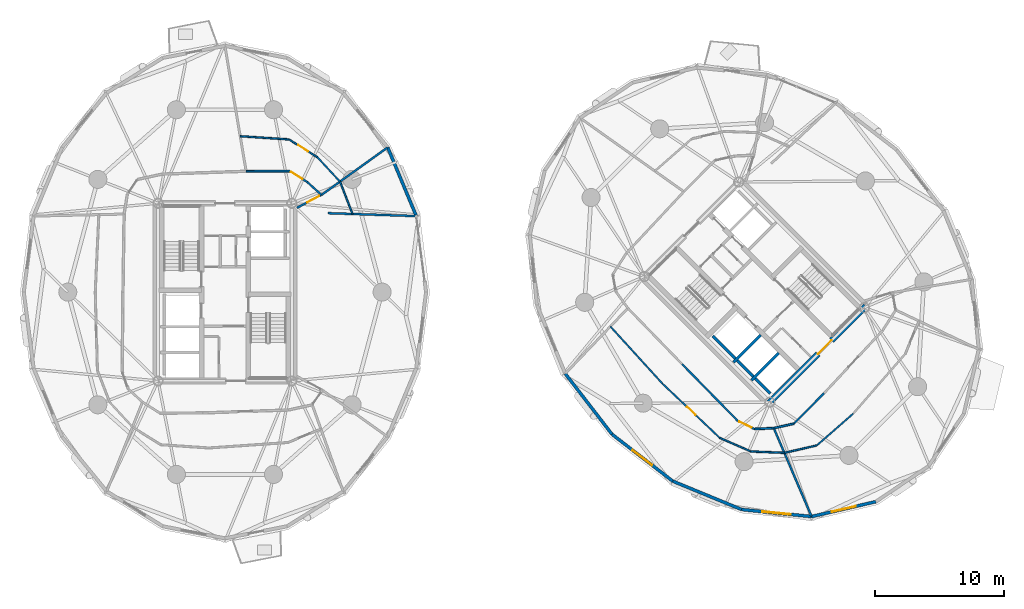
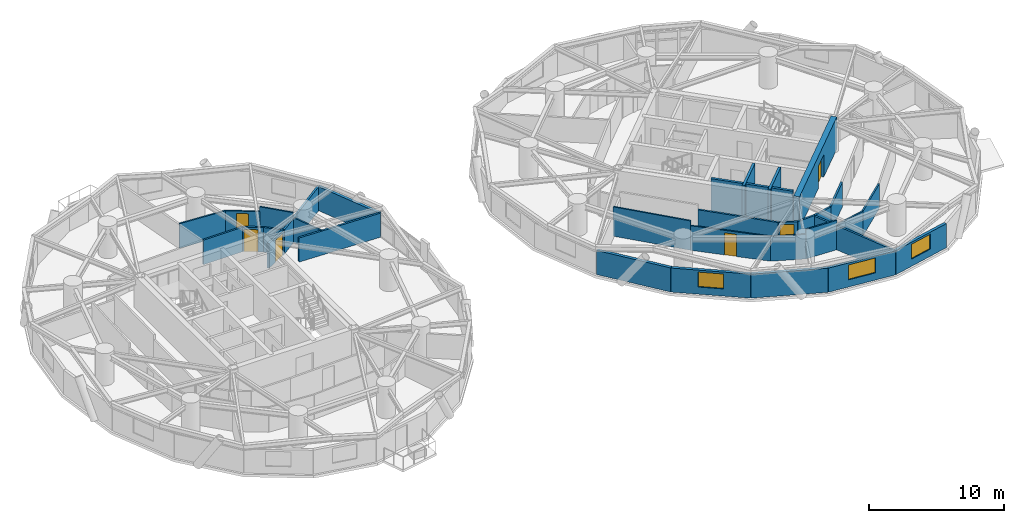
# One storey, part 11 of 18: 34 walls, 6 doors, 3 windows, 9 openings.
"""IFC4 building model written with IfcOpenShell, lengths in metres."""

import ifcopenshell
import ifcopenshell.guid

model = None  # the IFC model being written
_history = None  # IfcOwnerHistory: only IFC2X3 demands one
_inside = {}  # id of a spatial element -> (the spatial element, [elements in it])
_under = {}  # id of a project, library or spatial element -> (it, [spatial elements below it])
_declared = {}  # id of a project -> (the project, [libraries it declares])
_typed = {}  # id of a type object -> (the type object, [elements of that type])
_made_of = {}  # id of a material, layer set ... -> (it, [elements and type objects made of it])


def new_model(schema):
    """Start an empty IFC model of exactly this schema.

    Asked for "IFC4X3", IfcOpenShell would pick the latest addendum, in which some entities
    have other attributes; the version numbers below select the first issue.
    IFC2X3 requires an IfcOwnerHistory on every rooted entity: one is made here for all.
    """
    global model, _history
    if schema == "IFC4X3":
        model = ifcopenshell.file(schema_version=(4, 3, 0, 0))
    else:
        model = ifcopenshell.file(schema=schema)
    _inside.clear()
    _under.clear()
    _declared.clear()
    _typed.clear()
    _made_of.clear()
    _history = None
    if model.schema == "IFC2X3":
        org = make("IfcOrganization", Name="unknown")
        user = make(
            "IfcPersonAndOrganization",
            ThePerson=make("IfcPerson", FamilyName="unknown"),
            TheOrganization=org,
        )
        app = make(
            "IfcApplication",
            ApplicationDeveloper=org,
            Version="unknown",
            ApplicationFullName="unknown",
            ApplicationIdentifier="unknown",
        )
        _history = make(
            "IfcOwnerHistory",
            OwningUser=user,
            OwningApplication=app,
            ChangeAction="ADDED",
            CreationDate=0,
        )
    return model


def make(cls, **values):
    """One entity of the class cls with the attributes given. An attribute that is None is left unset."""
    return model.create_entity(
        cls, **{name: value for name, value in values.items() if value is not None}
    )


def rooted(cls, **values):
    """An entity with a GlobalId (a new one), such as an element, a storey or a relation."""
    return make(cls, GlobalId=ifcopenshell.guid.new(), OwnerHistory=_history, **values)


def si_unit(unit_type, name, prefix=None):
    """IfcSIUnit, for example si_unit("LENGTHUNIT", "METRE", prefix="MILLI")."""
    return make("IfcSIUnit", UnitType=unit_type, Prefix=prefix, Name=name)


def assignment(units):
    """IfcUnitAssignment: the units of a project."""
    return None if units is None else make("IfcUnitAssignment", Units=units)


def point(xyz):
    """IfcCartesianPoint."""
    return None if xyz is None else make("IfcCartesianPoint", Coordinates=xyz)


def direction(xyz):
    """IfcDirection."""
    return None if xyz is None else make("IfcDirection", DirectionRatios=xyz)


def frame(location, z_axis=None, x_axis=None):
    """IfcAxis2Placement3D, a coordinate frame: its origin and axes. An axis left out is left unset."""
    return make(
        "IfcAxis2Placement3D",
        Location=point(location),
        Axis=direction(z_axis),
        RefDirection=direction(x_axis),
    )


def frame_2d(location, x_axis=None):
    """IfcAxis2Placement2D, a coordinate frame in the plane: its origin and x axis."""
    return make(
        "IfcAxis2Placement2D", Location=point(location), RefDirection=direction(x_axis)
    )


def origin():
    """The frame at (0, 0, 0) with its axes left unset."""
    return frame((0.0, 0.0, 0.0))


def place(relative_to, where):
    """IfcLocalPlacement: puts the frame where relative to a parent placement (None: the world)."""
    return make(
        "IfcLocalPlacement", PlacementRelTo=relative_to, RelativePlacement=where
    )


def context(
    kind, dimensions, precision=None, world=None, true_north=None, identifier=None
):
    """IfcGeometricRepresentationContext, for example the 3D "Model" context."""
    return make(
        "IfcGeometricRepresentationContext",
        ContextIdentifier=identifier,
        ContextType=kind,
        CoordinateSpaceDimension=dimensions,
        Precision=precision,
        WorldCoordinateSystem=world,
        TrueNorth=true_north,
    )


def subcontext(parent, identifier, kind, view, scale=None):
    """IfcGeometricRepresentationSubContext, for example "Body" below "Model"."""
    return make(
        "IfcGeometricRepresentationSubContext",
        ContextIdentifier=identifier,
        ContextType=kind,
        ParentContext=parent,
        TargetScale=scale,
        TargetView=view,
    )


def project(units=None, contexts=None):
    """IfcProject with its units and contexts."""
    return rooted(
        "IfcProject",
        Name="project",
        RepresentationContexts=contexts,
        UnitsInContext=assignment(units),
    )


def spatial(cls, under=None, at=None, **own):
    """A site, building, storey or space (cls), placed at a placement, below another one or the project."""
    s = rooted(cls, ObjectPlacement=at, **own)
    if under is not None:
        _under.setdefault(under.id(), (under, []))[1].append(s)
    return s


def profile(cls, at=None, kind="AREA", **sizes):
    """A parametric profile (cls). Its sizes go by their IFC names, for example OverallWidth=200.0."""
    return make(cls, ProfileType=kind, Position=at, **sizes)


def rectangle(**sizes):
    """IfcRectangleProfileDef."""
    return profile("IfcRectangleProfileDef", **sizes)


def extrude(swept, where, along, depth):
    """IfcExtrudedAreaSolid: the profile swept, set in the frame where, extruded along a direction by depth."""
    return make(
        "IfcExtrudedAreaSolid",
        SweptArea=swept,
        Position=where,
        ExtrudedDirection=direction(along),
        Depth=depth,
    )


def shape(context_of_items, identifier, shape_type, items):
    """IfcShapeRepresentation: the items that make up one representation, for example the "Body"."""
    return make(
        "IfcShapeRepresentation",
        ContextOfItems=context_of_items,
        RepresentationIdentifier=identifier,
        RepresentationType=shape_type,
        Items=items,
    )


def source(mapping_origin, context_of_items, identifier, shape_type, items):
    """IfcRepresentationMap: a shape defined once, which mapped items show again and again."""
    return make(
        "IfcRepresentationMap",
        MappingOrigin=mapping_origin,
        MappedRepresentation=shape(context_of_items, identifier, shape_type, items),
    )


def transform(
    local_origin,
    x_axis=None,
    y_axis=None,
    z_axis=None,
    scale=None,
    scale2=None,
    scale3=None,
    uniform=True,
):
    """IfcCartesianTransformationOperator3D, or its non-uniform kind. x_axis, y_axis, z_axis: its Axis1, 2, 3."""
    if uniform:
        return make(
            "IfcCartesianTransformationOperator3D",
            Axis1=direction(x_axis),
            Axis2=direction(y_axis),
            LocalOrigin=point(local_origin),
            Scale=scale,
            Axis3=direction(z_axis),
        )
    return make(
        "IfcCartesianTransformationOperator3DnonUniform",
        Axis1=direction(x_axis),
        Axis2=direction(y_axis),
        LocalOrigin=point(local_origin),
        Scale=scale,
        Axis3=direction(z_axis),
        Scale2=scale2,
        Scale3=scale3,
    )


def mapped(mapping_source, mapping_target):
    """IfcMappedItem: shows the shape of a source again, moved by a transform."""
    return make(
        "IfcMappedItem", MappingSource=mapping_source, MappingTarget=mapping_target
    )


def material(Name=None, Category=None):
    """IfcMaterial."""
    return make("IfcMaterial", Name=Name, Category=Category)


def layer(
    of_material, thickness, ventilated=None, Name=None, Category=None, Priority=None
):
    """IfcMaterialLayer: one layer of a wall or slab, of a material (None: an air gap)."""
    return make(
        "IfcMaterialLayer",
        Material=of_material,
        LayerThickness=thickness,
        IsVentilated=ventilated,
        Name=Name,
        Category=Category,
        Priority=Priority,
    )


def layer_set(layers, Name=None):
    """IfcMaterialLayerSet."""
    return make("IfcMaterialLayerSet", MaterialLayers=layers, LayerSetName=Name)


def made_of(thing, what):
    """Note that an element or type object is made of a material, layer set ...; save() writes the relation."""
    if what is not None:
        _made_of.setdefault(what.id(), (what, []))[1].append(thing)
    return thing


def type_object(cls, material=None, **own):
    """A type object (cls), such as IfcWallType, which elements share."""
    return made_of(rooted(cls, **own), material)


def element(
    cls,
    number,
    at=None,
    inside=None,
    cuts=None,
    type_object=None,
    material=None,
    context=None,
    identifier="Body",
    shape_type=None,
    held_by="IfcProductDefinitionShape",
    body=None,
    shapes=None,
    **own,
):
    """One element of the class cls, such as IfcWall. Its Tag is "e" and its number.

    at: its placement. inside: the storey or other place that contains it. cuts: it is an
    opening in that element (IfcRelVoidsElement). A single representation is given by context,
    identifier, shape_type and body (its items); several are given by shapes. held_by: the class
    of the entity that holds the representations. save() writes the other relations.
    """
    e = rooted(cls, Tag="e%d" % number, ObjectPlacement=at, **own)
    if body is not None:
        shapes = [shape(context, identifier, shape_type, body)]
    if shapes is not None:
        e.Representation = make(held_by, Representations=shapes)
    if inside is not None:
        _inside.setdefault(inside.id(), (inside, []))[1].append(e)
    if cuts is not None:
        rooted(
            "IfcRelVoidsElement", RelatingBuildingElement=cuts, RelatedOpeningElement=e
        )
    if type_object is not None:
        _typed.setdefault(type_object.id(), (type_object, []))[1].append(e)
    return made_of(e, material)


def fill(opening, filler):
    """IfcRelFillsElement: the door or window that sits in an opening."""
    return rooted(
        "IfcRelFillsElement",
        RelatingOpeningElement=opening,
        RelatedBuildingElement=filler,
    )


def aggregate(whole, parts):
    """IfcRelAggregates: a whole, such as a stair, and the parts it consists of."""
    return rooted("IfcRelAggregates", RelatingObject=whole, RelatedObjects=parts)


def save(model, path):
    """Write the relations noted so far, then the file.

    IfcRelAggregates (storeys below a building ...), IfcRelContainedInSpatialStructure (elements
    in a storey), IfcRelDefinesByType, IfcRelAssociatesMaterial and IfcRelDeclares: one each for
    every whole, place, type object, material and project.
    """
    for whole, parts in _under.values():
        aggregate(whole, parts)
    for where, things in _inside.values():
        rooted(
            "IfcRelContainedInSpatialStructure",
            RelatedElements=things,
            RelatingStructure=where,
        )
    for kind, things in _typed.values():
        rooted("IfcRelDefinesByType", RelatedObjects=things, RelatingType=kind)
    for what, things in _made_of.values():
        rooted("IfcRelAssociatesMaterial", RelatedObjects=things, RelatingMaterial=what)
    for by, libraries in _declared.values():
        rooted("IfcRelDeclares", RelatingContext=by, RelatedDefinitions=libraries)
    model.write(path)


model = new_model("IFC4")

# Units and contexts
model_context = context("Model", 3, precision=1e-05, world=origin(), true_north=direction((0.0, 1.0)))
body_context = subcontext(model_context, "Body", "Model", "MODEL_VIEW")
ifc_project = project(units=[si_unit("LENGTHUNIT", "METRE"), si_unit("AREAUNIT", "SQUARE_METRE"), si_unit("VOLUMEUNIT", "CUBIC_METRE"), si_unit("PLANEANGLEUNIT", "RADIAN"), si_unit("MASSUNIT", "GRAM", prefix="KILO")], contexts=[model_context])

# Site, building, storey
site_placement = place(None, origin())
site = spatial("IfcSite", under=ifc_project, at=site_placement, CompositionType="ELEMENT")
building_placement = place(site_placement, origin())
building = spatial("IfcBuilding", under=site, at=building_placement, Name="Cununo Teusaquillo Station Towers", CompositionType="ELEMENT")
storey_placement = place(building_placement, frame((0.0, 0.0, 105.070068359375)))
storey = spatial("IfcBuildingStorey", under=building, at=storey_placement, Name="L33", CompositionType="ELEMENT", Elevation=105.070068359375)

# Walls
ifc_material_1 = material(Name="Concrete C50/60", Category="concrete")
ifc_layer_1 = layer(ifc_material_1, 0.199951171875)
ifc_layer_set_1 = layer_set([ifc_layer_1], Name="Concrete C50/60")
wall_type_1 = type_object("IfcWallType", Name="WL-CORE-200", PredefinedType="SHEAR", material=ifc_layer_set_1)
wall_1_placement = place(storey_placement, frame((55.8876953125, 19.0693359375, 0.0), z_axis=(0.0, 0.0, 1.0), x_axis=(0.707106781187, 0.707106781187, 0.0)))
element("IfcWall", 1, at=wall_1_placement, inside=storey, type_object=wall_type_1, Name="L33 Tower B Firefighting Lift Shaft South Shear Wall", PredefinedType="SHEAR", context=body_context, shape_type="SweptSolid", body=[
    extrude(rectangle(XDim=2.969970703125, YDim=0.199951171875, at=frame_2d((1.48486328125, 0.0))), origin(), (0.0, 0.0, 1.0), 2.909912109375),
])
wall_2_placement = place(storey_placement, frame((56.01513671875, 19.366455078125, 0.0), z_axis=(0.0, 0.0, 1.0), x_axis=(-0.707106781187, 0.707106781187, 0.0)))
element("IfcWall", 2, at=wall_2_placement, inside=storey, type_object=wall_type_1, Name="L33 Tower B Firefighting Lift Shaft Rear Shear Wall", PredefinedType="SHEAR", context=body_context, shape_type="SweptSolid", body=[
    extrude(rectangle(XDim=2.43994140625, YDim=0.199951171875, at=frame_2d((1.219970703125, 0.0))), origin(), (0.0, 0.0, 1.0), 2.909912109375),
])
wall_3_placement = place(storey_placement, frame((57.2841796875, 17.6728515625, 0.0), z_axis=(0.0, 0.0, 1.0), x_axis=(0.707147878904, 0.70706568108, 0.0)))
element("IfcWall", 3, at=wall_3_placement, inside=storey, type_object=wall_type_1, Name="L33 Tower B High-Rise Lift Hoistway Divider Shear Wall", PredefinedType="SHEAR", context=body_context, shape_type="SweptSolid", body=[
    extrude(rectangle(XDim=2.97021484375, YDim=0.199951171875, at=frame_2d((1.485107421875, 0.0))), origin(), (0.0, 0.0, 1.0), 2.909912109375),
])
wall_4_placement = place(storey_placement, frame((57.41162109375, 17.969970703125, 0.0), z_axis=(0.0, 0.0, 1.0), x_axis=(-0.707106781187, 0.707106781187, 0.0)))
element("IfcWall", 4, at=wall_4_placement, inside=storey, type_object=wall_type_1, Name="L33 Tower B High-Rise Lift 2 Shaft Rear Shear Wall", PredefinedType="SHEAR", context=body_context, shape_type="SweptSolid", body=[
    extrude(rectangle(XDim=1.73486328125, YDim=0.199951171875, at=frame_2d((0.867431640625, 0.0))), origin(), (0.0, 0.0, 1.0), 2.909912109375),
])
wall_5_placement = place(storey_placement, frame((58.7373046875, 16.64404296875, 0.0), z_axis=(0.0, 0.0, 1.0), x_axis=(-0.707032117043, 0.707181437447, 0.0)))
element("IfcWall", 5, at=wall_5_placement, inside=storey, type_object=wall_type_1, Name="L33 Tower B High-Rise Lift 1 Shaft Rear Shear Wall", PredefinedType="SHEAR", context=body_context, shape_type="SweptSolid", body=[
    extrude(rectangle(XDim=1.635009765625, YDim=0.199951171875, at=frame_2d((0.8173828125, 0.0))), origin(), (0.0, 0.0, 1.0), 2.909912109375),
])

# Wall, opening, door
ifc_material_2 = material(Name="Concrete C60/75", Category="concrete")
ifc_layer_2 = layer(ifc_material_2, 0.449951171875)
ifc_layer_set_2 = layer_set([ifc_layer_2], Name="Concrete C60/75")
wall_type_2 = type_object("IfcWallType", Name="WL-CORE-450", PredefinedType="SHEAR", material=ifc_layer_set_2)
wall_6_placement = place(storey_placement, frame((58.578369140625, 15.855712890625, 0.0), z_axis=(0.0, 0.0, 1.0), x_axis=(0.707106781187, 0.707106781187, 0.0)))
wall_6 = element("IfcWall", 6, at=wall_6_placement, inside=storey, type_object=wall_type_2, Name="L33 Tower B Core Shear Wall S", PredefinedType="SHEAR", context=body_context, shape_type="SweptSolid", body=[
    extrude(rectangle(XDim=10.69970703125, YDim=0.449951171875, at=frame_2d((5.349853515625, 0.0))), origin(), (0.0, 0.0, 1.0), 2.909912109375),
])
shared_shape_1 = source(origin(), body_context, "Body", "SweptSolid", [
    extrude(rectangle(XDim=1.5, YDim=2.02001953125, at=frame_2d((0.75, 1.010009765625))), frame((0.0, 0.23486328125, 0.0), z_axis=(0.0, -1.0, 0.0), x_axis=(1.0, 0.0, 0.0)), (0.0, 0.0, 1.0), 0.469970703125),
])
opening_1_placement = place(wall_6_placement, frame((5.449951171875, 0.0, 0.0)))
opening_1 = element("IfcOpeningElement", 7, at=opening_1_placement, cuts=wall_6, Name="Opening D-LB1", PredefinedType="OPENING", context=body_context, shape_type="MappedRepresentation", body=[
    mapped(shared_shape_1, transform((0.0, 0.0, 0.0), x_axis=(1.0, 0.0, 0.0), y_axis=(0.0, 1.0, 0.0), z_axis=(0.0, 0.0, 1.0), scale=1.0)),
])
ifc_material_3 = material(Name="Galvanised fire-rated hollow steel door assembly", Category="steel")
door_type_1 = type_object("IfcDoorType", Name="DR-LOBBY-1500", OperationType="DOUBLE_DOOR_SINGLE_SWING", PredefinedType="DOOR", material=ifc_material_3)
shared_shape_2 = source(origin(), body_context, "Body", "SweptSolid", [
    extrude(rectangle(XDim=1.5, YDim=2.02001953125, at=frame_2d((0.75, 1.010009765625))), frame((0.0, 0.02490234375, 0.0), z_axis=(0.0, -1.0, 0.0), x_axis=(1.0, 0.0, 0.0)), (0.0, 0.0, 1.0), 0.050048828125),
])
door_1_placement = place(opening_1_placement, origin())
door_1 = element("IfcDoor", 8, at=door_1_placement, inside=storey, type_object=door_type_1, Name="L33 Tower B South Core Lift Lobby Door", OperationType="DOUBLE_DOOR_SINGLE_SWING", OverallHeight=2.02001953125, OverallWidth=1.5, PredefinedType="DOOR", context=body_context, shape_type="MappedRepresentation", body=[
    mapped(shared_shape_2, transform((0.0, 0.0, 0.0), x_axis=(1.0, 0.0, 0.0), y_axis=(0.0, 1.0, 0.0), z_axis=(0.0, 0.0, 1.0), scale=1.0)),
])
fill(opening_1, door_1)

# Walls
ifc_material_4 = material(Name="Precast concrete C40/50", Category="concrete")
ifc_layer_3 = layer(ifc_material_4, 0.239990234375)
ifc_layer_set_3 = layer_set([ifc_layer_3], Name="Precast concrete C40/50")
wall_type_3 = type_object("IfcWallType", Name="WL-EXT-240", PredefinedType="SOLIDWALL", material=ifc_layer_set_3)
wall_7_placement = place(storey_placement, frame((29.105224609375, 35.708984375, 0.0), z_axis=(0.0, 0.0, 1.0), x_axis=(0.384344417632, -0.923189779317, 0.0)))
element("IfcWall", 9, at=wall_7_placement, inside=storey, type_object=wall_type_3, Name="L33 Tower A Exterior Facade Wall C01", PredefinedType="SOLIDWALL", context=body_context, shape_type="SweptSolid", body=[
    extrude(rectangle(XDim=5.75830078125, YDim=0.239990234375, at=frame_2d((2.879150390625, 0.0))), origin(), (0.0, 0.0, 1.0), 2.178955078125),
])
wall_8_placement = place(storey_placement, frame((46.482666015625, 13.482666015625, 0.0), z_axis=(0.0, 0.0, 1.0), x_axis=(-0.61054437102, 0.791982052206, 0.0)))
element("IfcWall", 10, at=wall_8_placement, inside=storey, type_object=wall_type_3, Name="L33 Tower B Exterior Facade Wall C09", PredefinedType="SOLIDWALL", context=body_context, shape_type="SweptSolid", body=[
    extrude(rectangle(XDim=5.942138671875, YDim=0.239990234375, at=frame_2d((2.97119140625, 0.0))), origin(), (0.0, 0.0, 1.0), 2.178955078125),
])

# Wall, opening, window
wall_9_placement = place(storey_placement, frame((51.188720703125, 9.854736328125, 0.0), z_axis=(0.0, 0.0, 1.0), x_axis=(-0.791982052206, 0.61054437102, 0.0)))
wall_9 = element("IfcWall", 11, at=wall_9_placement, inside=storey, type_object=wall_type_3, Name="L33 Tower B Exterior Facade Wall C10", PredefinedType="SOLIDWALL", context=body_context, shape_type="SweptSolid", body=[
    extrude(rectangle(XDim=5.942138671875, YDim=0.239990234375, at=frame_2d((2.97119140625, 0.0))), origin(), (0.0, 0.0, 1.0), 2.178955078125),
])
shared_shape_3 = source(origin(), body_context, "Body", "SweptSolid", [
    extrude(rectangle(XDim=1.89990234375, YDim=1.35009765625, at=frame_2d((0.949951171875, 0.675048828125))), frame((0.0, 0.1298828125, 0.0), z_axis=(0.0, -1.0, 0.0), x_axis=(1.0, 0.0, 0.0)), (0.0, 0.0, 1.0), 0.260009765625),
])
opening_2_placement = place(wall_9_placement, frame((2.02099609375, 0.0, 0.64990234375)))
opening_2 = element("IfcOpeningElement", 12, at=opening_2_placement, cuts=wall_9, Name="Opening WN-02", PredefinedType="OPENING", context=body_context, shape_type="MappedRepresentation", body=[
    mapped(shared_shape_3, transform((0.0, 0.0, 0.0), x_axis=(1.0, 0.0, 0.0), y_axis=(0.0, 1.0, 0.0), z_axis=(0.0, 0.0, 1.0), scale=1.0)),
])
ifc_material_5 = material(Name="Operable acoustic tinted low-E double glazing", Category="glass")
window_type_1 = type_object("IfcWindowType", Name="WIN-OPER-1900", PartitioningType="DOUBLE_PANEL_VERTICAL", PredefinedType="WINDOW", material=ifc_material_5)
shared_shape_4 = source(origin(), body_context, "Body", "SweptSolid", [
    extrude(rectangle(XDim=1.89990234375, YDim=1.35009765625, at=frame_2d((0.949951171875, 0.675048828125))), frame((0.0, 0.030029296875, 0.0), z_axis=(0.0, -1.0, 0.0), x_axis=(1.0, 0.0, 0.0)), (0.0, 0.0, 1.0), 0.06005859375),
])
window_1_placement = place(opening_2_placement, origin())
window_1 = element("IfcWindow", 13, at=window_1_placement, inside=storey, type_object=window_type_1, Name="L33 Tower B Facade Window C10", OverallHeight=1.35009765625, OverallWidth=1.89990234375, PartitioningType="DOUBLE_PANEL_VERTICAL", PredefinedType="WINDOW", context=body_context, shape_type="MappedRepresentation", body=[
    mapped(shared_shape_4, transform((0.0, 0.0, 0.0), x_axis=(1.0, 0.0, 0.0), y_axis=(0.0, 1.0, 0.0), z_axis=(0.0, 0.0, 1.0), scale=1.0)),
])
fill(opening_2, window_1)

# Wall
wall_10_placement = place(storey_placement, frame((56.5126953125, 7.66064453125, 0.0), z_axis=(0.0, 0.0, 1.0), x_axis=(-0.924563909604, 0.381027003055, 0.0)))
element("IfcWall", 14, at=wall_10_placement, inside=storey, type_object=wall_type_3, Name="L33 Tower B Exterior Facade Wall C11", PredefinedType="SOLIDWALL", context=body_context, shape_type="SweptSolid", body=[
    extrude(rectangle(XDim=5.75830078125, YDim=0.239990234375, at=frame_2d((2.879150390625, 0.0))), origin(), (0.0, 0.0, 1.0), 2.178955078125),
])

# Wall, opening, window
wall_11_placement = place(storey_placement, frame((61.933349609375, 7.114990234375, 0.0), z_axis=(0.0, 0.0, 1.0), x_axis=(-0.994971754311, 0.10015591906, 0.0)))
wall_11 = element("IfcWall", 15, at=wall_11_placement, inside=storey, type_object=wall_type_3, Name="L33 Tower B Exterior Facade Wall C12", PredefinedType="SOLIDWALL", context=body_context, shape_type="SweptSolid", body=[
    extrude(rectangle(XDim=5.447998046875, YDim=0.239990234375, at=frame_2d((2.72412109375, 0.0))), origin(), (0.0, 0.0, 1.0), 2.178955078125),
])
shared_shape_5 = source(origin(), body_context, "Body", "SweptSolid", [
    extrude(rectangle(XDim=2.199951171875, YDim=1.35009765625, at=frame_2d((1.10009765625, 0.675048828125))), frame((0.0, 0.1298828125, 0.0), z_axis=(0.0, -1.0, 0.0), x_axis=(1.0, 0.0, 0.0)), (0.0, 0.0, 1.0), 0.260009765625),
])
opening_3_placement = place(wall_11_placement, frame((1.6240234375, 0.0, 0.64990234375)))
opening_3 = element("IfcOpeningElement", 16, at=opening_3_placement, cuts=wall_11, Name="Opening WN-01", PredefinedType="OPENING", context=body_context, shape_type="MappedRepresentation", body=[
    mapped(shared_shape_5, transform((0.0, 0.0, 0.0), x_axis=(1.0, 0.0, 0.0), y_axis=(0.0, 1.0, 0.0), z_axis=(0.0, 0.0, 1.0), scale=1.0)),
])
ifc_material_6 = material(Name="Ceramic-fritted dark low-E double glazing", Category="glass")
window_type_2 = type_object("IfcWindowType", Name="WIN-FRIT-2200", PartitioningType="DOUBLE_PANEL_VERTICAL", PredefinedType="WINDOW", material=ifc_material_6)
shared_shape_6 = source(origin(), body_context, "Body", "SweptSolid", [
    extrude(rectangle(XDim=2.199951171875, YDim=1.35009765625, at=frame_2d((1.10009765625, 0.675048828125))), frame((0.0, 0.030029296875, 0.0), z_axis=(0.0, -1.0, 0.0), x_axis=(1.0, 0.0, 0.0)), (0.0, 0.0, 1.0), 0.06005859375),
])
window_2_placement = place(opening_3_placement, origin())
window_2 = element("IfcWindow", 17, at=window_2_placement, inside=storey, type_object=window_type_2, Name="L33 Tower B Facade Window C12", OverallHeight=1.35009765625, OverallWidth=2.199951171875, PartitioningType="DOUBLE_PANEL_VERTICAL", PredefinedType="WINDOW", context=body_context, shape_type="MappedRepresentation", body=[
    mapped(shared_shape_6, transform((0.0, 0.0, 0.0), x_axis=(1.0, 0.0, 0.0), y_axis=(0.0, 1.0, 0.0), z_axis=(0.0, 0.0, 1.0), scale=1.0)),
])
fill(opening_3, window_2)

wall_12_placement = place(storey_placement, frame((66.919921875, 8.27099609375, 0.0), z_axis=(0.0, 0.0, 1.0), x_axis=(-0.974165631126, -0.225834725257, 0.0)))
wall_12 = element("IfcWall", 18, at=wall_12_placement, inside=storey, type_object=wall_type_3, Name="L33 Tower B Exterior Facade Wall C13", PredefinedType="SOLIDWALL", context=body_context, shape_type="SweptSolid", body=[
    extrude(rectangle(XDim=5.118896484375, YDim=0.239990234375, at=frame_2d((2.5595703125, 0.0))), origin(), (0.0, 0.0, 1.0), 2.178955078125),
])
opening_4_placement = place(wall_12_placement, frame((1.60888671875, 0.0, 0.64990234375)))
opening_4 = element("IfcOpeningElement", 19, at=opening_4_placement, cuts=wall_12, Name="Opening WN-02", PredefinedType="OPENING", context=body_context, shape_type="MappedRepresentation", body=[
    mapped(shared_shape_3, transform((0.0, 0.0, 0.0), x_axis=(1.0, 0.0, 0.0), y_axis=(0.0, 1.0, 0.0), z_axis=(0.0, 0.0, 1.0), scale=1.0)),
])
window_3_placement = place(opening_4_placement, origin())
window_3 = element("IfcWindow", 20, at=window_3_placement, inside=storey, type_object=window_type_1, Name="L33 Tower B Facade Window C13", OverallHeight=1.35009765625, OverallWidth=1.89990234375, PartitioningType="DOUBLE_PANEL_VERTICAL", PredefinedType="WINDOW", context=body_context, shape_type="MappedRepresentation", body=[
    mapped(shared_shape_4, transform((0.0, 0.0, 0.0), x_axis=(1.0, 0.0, 0.0), y_axis=(0.0, 1.0, 0.0), z_axis=(0.0, 0.0, 1.0), scale=1.0)),
])
fill(opening_4, window_3)

# Walls
ifc_material_7 = material(Name="Fire-rated gypsum plasterboard partition assembly", Category="gypsum")
ifc_layer_4 = layer(ifc_material_7, 0.125)
ifc_layer_set_4 = layer_set([ifc_layer_4], Name="Fire-rated gypsum plasterboard partition assembly")
wall_type_4 = type_object("IfcWallType", Name="WL-PART-125", PredefinedType="PARTITIONING", material=ifc_layer_set_4)
wall_13_placement = place(storey_placement, frame((26.381591796875, 30.550537109375, 0.0), z_axis=(0.0, 0.0, 1.0), x_axis=(-0.361621391028, 0.932325034283, 0.0)))
element("IfcWall", 21, at=wall_13_placement, inside=storey, type_object=wall_type_4, Name="L33 Tower A Consular Reception Salon Concentric Partition Wall C01", PredefinedType="PARTITIONING", context=body_context, shape_type="SweptSolid", body=[
    extrude(rectangle(XDim=2.685546875, YDim=0.125, at=frame_2d((1.3427734375, 0.0))), origin(), (0.0, 0.0, 1.0), 2.224853515625),
])
wall_14_placement = place(storey_placement, frame((25.410400390625, 33.054443359375, 0.0), z_axis=(0.0, 0.0, 1.0), x_axis=(-0.679733694606, 0.73345899982, 0.0)))
element("IfcWall", 22, at=wall_14_placement, inside=storey, type_object=wall_type_4, Name="L33 Tower A Consular Reception Salon Concentric Partition Wall C02", PredefinedType="PARTITIONING", context=body_context, shape_type="SweptSolid", body=[
    extrude(rectangle(XDim=2.585693359375, YDim=0.125, at=frame_2d((1.29296875, 0.0))), origin(), (0.0, 0.0, 1.0), 2.655029296875),
])

# Wall, opening, door
wall_15_placement = place(storey_placement, frame((23.65283203125, 34.950927734375, 0.0), z_axis=(0.0, 0.0, 1.0), x_axis=(-0.847306782665, 0.531103771452, 0.0)))
wall_15 = element("IfcWall", 23, at=wall_15_placement, inside=storey, type_object=wall_type_4, Name="L33 Tower A Consular Reception Salon Concentric Partition Wall C03", PredefinedType="PARTITIONING", context=body_context, shape_type="SweptSolid", body=[
    extrude(rectangle(XDim=2.5810546875, YDim=0.125, at=frame_2d((1.29052734375, 0.0))), origin(), (0.0, 0.0, 1.0), 2.224853515625),
])
shared_shape_7 = source(origin(), body_context, "Body", "SweptSolid", [
    extrude(rectangle(XDim=0.89990234375, YDim=2.0048828125, at=frame_2d((0.449951171875, 1.00244140625))), frame((0.0, 0.072509765625, 0.0), z_axis=(0.0, -1.0, 0.0), x_axis=(1.0, 0.0, 0.0)), (0.0, 0.0, 1.0), 0.14501953125),
])
opening_5_placement = place(wall_15_placement, frame((0.840576171875, 0.0, 0.0)))
opening_5 = element("IfcOpeningElement", 24, at=opening_5_placement, cuts=wall_15, Name="Opening D-IN1", PredefinedType="OPENING", context=body_context, shape_type="MappedRepresentation", body=[
    mapped(shared_shape_7, transform((0.0, 0.0, 0.0), x_axis=(1.0, 0.0, 0.0), y_axis=(0.0, 1.0, 0.0), z_axis=(0.0, 0.0, 1.0), scale=1.0)),
])
ifc_material_8 = material(Name="Acoustic solid-core hardwood leaf assembly", Category="wood")
door_type_2 = type_object("IfcDoorType", Name="DR-INT-900", OperationType="NOTDEFINED", PredefinedType="DOOR", material=ifc_material_8)
shared_shape_8 = source(origin(), body_context, "Body", "SweptSolid", [
    extrude(rectangle(XDim=0.89990234375, YDim=2.0048828125, at=frame_2d((0.449951171875, 1.00244140625))), frame((0.0, 0.02490234375, 0.0), z_axis=(0.0, -1.0, 0.0), x_axis=(1.0, 0.0, 0.0)), (0.0, 0.0, 1.0), 0.050048828125),
])
door_2_placement = place(opening_5_placement, origin())
door_2 = element("IfcDoor", 25, at=door_2_placement, inside=storey, type_object=door_type_2, Name="L33 Tower A Consular Reception Salon Connecting Door", OperationType="SINGLE_SWING_RIGHT", OverallHeight=2.0048828125, OverallWidth=0.89990234375, PredefinedType="DOOR", context=body_context, shape_type="MappedRepresentation", body=[
    mapped(shared_shape_8, transform((0.0, 0.0, 0.0), x_axis=(1.0, 0.0, 0.0), y_axis=(0.0, 1.0, 0.0), z_axis=(0.0, 0.0, 1.0), scale=1.0)),
])
fill(opening_5, door_2)

# Walls
wall_16_placement = place(storey_placement, frame((21.4658203125, 36.32177734375, 0.0), z_axis=(0.0, 0.0, 1.0), x_axis=(-0.997806476515, 0.066198454847, 0.0)))
element("IfcWall", 26, at=wall_16_placement, inside=storey, type_object=wall_type_4, Name="L33 Tower A Consular Reception Salon Concentric Partition Wall C04", PredefinedType="PARTITIONING", context=body_context, shape_type="SweptSolid", body=[
    extrude(rectangle(XDim=3.791259765625, YDim=0.125, at=frame_2d((1.8955078125, 0.0))), origin(), (0.0, 0.0, 1.0), 2.224853515625),
])
wall_17_placement = place(storey_placement, frame((46.352294921875, 21.837646484375, 0.0), z_axis=(0.0, 0.0, 1.0), x_axis=(0.673416949194, -0.739262884594, 0.0)))
element("IfcWall", 27, at=wall_17_placement, inside=storey, type_object=wall_type_4, Name="L33 Tower B Ambassadorial Executive Office Concentric Partition Wall C09", PredefinedType="PARTITIONING", context=body_context, shape_type="SweptSolid", body=[
    extrude(rectangle(XDim=6.006591796875, YDim=0.125, at=frame_2d((3.00341796875, 0.0))), origin(), (0.0, 0.0, 1.0), 2.655029296875),
])

# Wall, opening, door
wall_18_placement = place(storey_placement, frame((50.397216796875, 17.397216796875, 0.0), z_axis=(0.0, 0.0, 1.0), x_axis=(0.726427828833, -0.687242758781, 0.0)))
wall_18 = element("IfcWall", 28, at=wall_18_placement, inside=storey, type_object=wall_type_4, Name="L33 Tower B Ambassadorial Executive Office Concentric Partition Wall C10", PredefinedType="PARTITIONING", context=body_context, shape_type="SweptSolid", body=[
    extrude(rectangle(XDim=6.087158203125, YDim=0.125, at=frame_2d((3.04345703125, 0.0))), origin(), (0.0, 0.0, 1.0), 2.224853515625),
])
opening_6_placement = place(wall_18_placement, frame((2.593505859375, 0.0, 0.0)))
opening_6 = element("IfcOpeningElement", 29, at=opening_6_placement, cuts=wall_18, Name="Opening D-IN1", PredefinedType="OPENING", context=body_context, shape_type="MappedRepresentation", body=[
    mapped(shared_shape_7, transform((0.0, 0.0, 0.0), x_axis=(1.0, 0.0, 0.0), y_axis=(0.0, 1.0, 0.0), z_axis=(0.0, 0.0, 1.0), scale=1.0)),
])
door_3_placement = place(opening_6_placement, origin())
door_3 = element("IfcDoor", 30, at=door_3_placement, inside=storey, type_object=door_type_2, Name="L33 Tower B Ambassadorial Executive Office Connecting Door", OperationType="SINGLE_SWING_RIGHT", OverallHeight=2.0048828125, OverallWidth=0.89990234375, PredefinedType="DOOR", context=body_context, shape_type="MappedRepresentation", body=[
    mapped(shared_shape_8, transform((0.0, 0.0, 0.0), x_axis=(1.0, 0.0, 0.0), y_axis=(0.0, 1.0, 0.0), z_axis=(0.0, 0.0, 1.0), scale=1.0)),
])
fill(opening_6, door_3)

# Walls
wall_19_placement = place(storey_placement, frame((54.819091796875, 13.2138671875, 0.0), z_axis=(0.0, 0.0, 1.0), x_axis=(0.915889218912, -0.401431113245, 0.0)))
element("IfcWall", 31, at=wall_19_placement, inside=storey, type_object=wall_type_4, Name="L33 Tower B Ambassadorial Executive Office Concentric Partition Wall C11", PredefinedType="PARTITIONING", context=body_context, shape_type="SweptSolid", body=[
    extrude(rectangle(XDim=2.63525390625, YDim=0.125, at=frame_2d((1.317626953125, 0.0))), origin(), (0.0, 0.0, 1.0), 2.224853515625),
])
wall_20_placement = place(storey_placement, frame((57.232666015625, 12.156005859375, 0.0), z_axis=(0.0, 0.0, 1.0), x_axis=(0.999181916557, -0.040441286156, 0.0)))
element("IfcWall", 32, at=wall_20_placement, inside=storey, type_object=wall_type_4, Name="L33 Tower B Ambassadorial Executive Office Concentric Partition Wall C12", PredefinedType="PARTITIONING", context=body_context, shape_type="SweptSolid", body=[
    extrude(rectangle(XDim=2.595947265625, YDim=0.125, at=frame_2d((1.2978515625, 0.0))), origin(), (0.0, 0.0, 1.0), 2.655029296875),
])
wall_21_placement = place(storey_placement, frame((59.826416015625, 12.051025390625, 0.0), z_axis=(0.0, 0.0, 1.0), x_axis=(0.975009915085, 0.222161350116, 0.0)))
element("IfcWall", 33, at=wall_21_placement, inside=storey, type_object=wall_type_4, Name="L33 Tower B Cultural Attache Workplace Concentric Partition Wall C13", PredefinedType="PARTITIONING", context=body_context, shape_type="SweptSolid", body=[
    extrude(rectangle(XDim=2.578125, YDim=0.125, at=frame_2d((1.2890625, 0.0))), origin(), (0.0, 0.0, 1.0), 2.224853515625),
])
wall_22_placement = place(storey_placement, frame((62.340087890625, 12.623779296875, 0.0), z_axis=(0.0, 0.0, 1.0), x_axis=(0.753169839919, 0.657826110941, 0.0)))
element("IfcWall", 34, at=wall_22_placement, inside=storey, type_object=wall_type_4, Name="L33 Tower B Cultural Attache Workplace Concentric Partition Wall C14", PredefinedType="PARTITIONING", context=body_context, shape_type="SweptSolid", body=[
    extrude(rectangle(XDim=3.74609375, YDim=0.125, at=frame_2d((1.873046875, 0.0))), origin(), (0.0, 0.0, 1.0), 2.224853515625),
])
ifc_material_9 = material(Name="Fire-rated gypsum plasterboard partition assembly", Category="gypsum")
ifc_layer_5 = layer(ifc_material_9, 0.14990234375)
ifc_layer_set_5 = layer_set([ifc_layer_5], Name="Fire-rated gypsum plasterboard partition assembly")
wall_type_5 = type_object("IfcWallType", Name="WL-PART-150", PredefinedType="PARTITIONING", material=ifc_layer_set_5)
wall_23_placement = place(storey_placement, frame((23.979736328125, 32.02685546875, 0.0), z_axis=(0.0, 0.0, 1.0), x_axis=(-0.742353224332, 0.670008724065, 0.0)))
element("IfcWall", 35, at=wall_23_placement, inside=storey, type_object=wall_type_5, Name="L33 Tower A Corridor Ring Wall C02", PredefinedType="PARTITIONING", context=body_context, shape_type="SweptSolid", body=[
    extrude(rectangle(XDim=1.48486328125, YDim=0.14990234375, at=frame_2d((0.742431640625, 0.0))), origin(), (0.0, 0.0, 1.0), 2.224853515625),
])

# Wall, opening, door
wall_24_placement = place(storey_placement, frame((22.87744140625, 33.021728515625, 0.0), z_axis=(0.0, 0.0, 1.0), x_axis=(-0.845895608855, 0.533348496689, 0.0)))
wall_24 = element("IfcWall", 36, at=wall_24_placement, inside=storey, type_object=wall_type_5, Name="L33 Tower A Corridor Ring Wall C03", PredefinedType="PARTITIONING", context=body_context, shape_type="SweptSolid", body=[
    extrude(rectangle(XDim=1.5966796875, YDim=0.14990234375, at=frame_2d((0.79833984375, 0.0))), origin(), (0.0, 0.0, 1.0), 2.224853515625),
])
shared_shape_9 = source(origin(), body_context, "Body", "SweptSolid", [
    extrude(rectangle(XDim=1.050048828125, YDim=2.014892578125, at=frame_2d((0.52490234375, 1.00732421875))), frame((0.0, 0.0849609375, 0.0), z_axis=(0.0, -1.0, 0.0), x_axis=(1.0, 0.0, 0.0)), (0.0, 0.0, 1.0), 0.169921875),
])
opening_7_placement = place(wall_24_placement, frame((0.4267578125, 0.0, 0.0)))
opening_7 = element("IfcOpeningElement", 37, at=opening_7_placement, cuts=wall_24, Name="Opening D-SU1", PredefinedType="OPENING", context=body_context, shape_type="MappedRepresentation", body=[
    mapped(shared_shape_9, transform((0.0, 0.0, 0.0), x_axis=(1.0, 0.0, 0.0), y_axis=(0.0, 1.0, 0.0), z_axis=(0.0, 0.0, 1.0), scale=1.0)),
])
ifc_material_10 = material(Name="Acoustic solid-core hardwood leaf assembly", Category="wood")
door_type_3 = type_object("IfcDoorType", Name="DR-SUITE-1050", OperationType="NOTDEFINED", PredefinedType="DOOR", material=ifc_material_10)
shared_shape_10 = source(origin(), body_context, "Body", "SweptSolid", [
    extrude(rectangle(XDim=1.050048828125, YDim=2.014892578125, at=frame_2d((0.52490234375, 1.00732421875))), frame((0.0, 0.02490234375, 0.0), z_axis=(0.0, -1.0, 0.0), x_axis=(1.0, 0.0, 0.0)), (0.0, 0.0, 1.0), 0.050048828125),
])
door_4_placement = place(opening_7_placement, origin())
door_4 = element("IfcDoor", 38, at=door_4_placement, inside=storey, type_object=door_type_3, Name="L33 Tower A Consular Reception Salon Entrance Door", OperationType="SINGLE_SWING_LEFT", OverallHeight=2.014892578125, OverallWidth=1.050048828125, PredefinedType="DOOR", context=body_context, shape_type="MappedRepresentation", body=[
    mapped(shared_shape_10, transform((0.0, 0.0, 0.0), x_axis=(1.0, 0.0, 0.0), y_axis=(0.0, 1.0, 0.0), z_axis=(0.0, 0.0, 1.0), scale=1.0)),
])
fill(opening_7, door_4)

# Walls
wall_25_placement = place(storey_placement, frame((21.52685546875, 33.873291015625, 0.0), z_axis=(0.0, 0.0, 1.0), x_axis=(-0.999991838845, -0.004040079574, 0.0)))
element("IfcWall", 39, at=wall_25_placement, inside=storey, type_object=wall_type_5, Name="L33 Tower A Corridor Ring Wall C04", PredefinedType="PARTITIONING", context=body_context, shape_type="SweptSolid", body=[
    extrude(rectangle(XDim=3.384033203125, YDim=0.14990234375, at=frame_2d((1.69189453125, 0.0))), origin(), (0.0, 0.0, 1.0), 2.224853515625),
])
wall_26_placement = place(storey_placement, frame((51.913818359375, 18.913818359375, 0.0), z_axis=(0.0, 0.0, 1.0), x_axis=(0.699999313799, -0.714143515465, 0.0)))
element("IfcWall", 40, at=wall_26_placement, inside=storey, type_object=wall_type_5, Name="L33 Tower B Corridor Ring Wall C10", PredefinedType="PARTITIONING", context=body_context, shape_type="SweptSolid", body=[
    extrude(rectangle(XDim=6.162109375, YDim=0.14990234375, at=frame_2d((3.0810546875, 0.0))), origin(), (0.0, 0.0, 1.0), 2.224853515625),
])

# Wall, opening, door
wall_27_placement = place(storey_placement, frame((56.227294921875, 14.51318359375, 0.0), z_axis=(0.0, 0.0, 1.0), x_axis=(0.901477579283, -0.432825801044, 0.0)))
wall_27 = element("IfcWall", 41, at=wall_27_placement, inside=storey, type_object=wall_type_5, Name="L33 Tower B Corridor Ring Wall C11", PredefinedType="PARTITIONING", context=body_context, shape_type="SweptSolid", body=[
    extrude(rectangle(XDim=1.42431640625, YDim=0.14990234375, at=frame_2d((0.712158203125, 0.0))), origin(), (0.0, 0.0, 1.0), 2.224853515625),
])
opening_8_placement = place(wall_27_placement, frame((0.1201171875, 0.0, 0.0)))
opening_8 = element("IfcOpeningElement", 42, at=opening_8_placement, cuts=wall_27, Name="Opening D-SU1", PredefinedType="OPENING", context=body_context, shape_type="MappedRepresentation", body=[
    mapped(shared_shape_9, transform((0.0, 0.0, 0.0), x_axis=(1.0, 0.0, 0.0), y_axis=(0.0, 1.0, 0.0), z_axis=(0.0, 0.0, 1.0), scale=1.0)),
])
door_5_placement = place(opening_8_placement, origin())
door_5 = element("IfcDoor", 43, at=door_5_placement, inside=storey, type_object=door_type_3, Name="L33 Tower B Ambassadorial Executive Office Entrance Door", OperationType="SINGLE_SWING_LEFT", OverallHeight=2.014892578125, OverallWidth=1.050048828125, PredefinedType="DOOR", context=body_context, shape_type="MappedRepresentation", body=[
    mapped(shared_shape_10, transform((0.0, 0.0, 0.0), x_axis=(1.0, 0.0, 0.0), y_axis=(0.0, 1.0, 0.0), z_axis=(0.0, 0.0, 1.0), scale=1.0)),
])
fill(opening_8, door_5)

# Walls
wall_28_placement = place(storey_placement, frame((57.51123046875, 13.896728515625, 0.0), z_axis=(0.0, 0.0, 1.0), x_axis=(0.999024538494, 0.044158481476, 0.0)))
element("IfcWall", 44, at=wall_28_placement, inside=storey, type_object=wall_type_5, Name="L33 Tower B Corridor Ring Wall C12", PredefinedType="PARTITIONING", context=body_context, shape_type="SweptSolid", body=[
    extrude(rectangle(XDim=1.498291015625, YDim=0.14990234375, at=frame_2d((0.7490234375, 0.0))), origin(), (0.0, 0.0, 1.0), 2.224853515625),
])
wall_29_placement = place(storey_placement, frame((59.008056640625, 13.962890625, 0.0), z_axis=(0.0, 0.0, 1.0), x_axis=(0.976020856791, 0.21767702476, 0.0)))
element("IfcWall", 45, at=wall_29_placement, inside=storey, type_object=wall_type_5, Name="L33 Tower B Corridor Ring Wall C13", PredefinedType="PARTITIONING", context=body_context, shape_type="SweptSolid", body=[
    extrude(rectangle(XDim=1.592529296875, YDim=0.14990234375, at=frame_2d((0.79638671875, 0.0))), origin(), (0.0, 0.0, 1.0), 2.224853515625),
])
wall_30_placement = place(storey_placement, frame((60.5625, 14.3095703125, 0.0), z_axis=(0.0, 0.0, 1.0), x_axis=(0.704566236161, 0.709638230975, 0.0)))
element("IfcWall", 46, at=wall_30_placement, inside=storey, type_object=wall_type_5, Name="L33 Tower B Corridor Ring Wall C14", PredefinedType="PARTITIONING", context=body_context, shape_type="SweptSolid", body=[
    extrude(rectangle(XDim=3.3212890625, YDim=0.14990234375, at=frame_2d((1.66064453125, 0.0))), origin(), (0.0, 0.0, 1.0), 2.224853515625),
])
ifc_material_11 = material(Name="Fire-rated gypsum plasterboard partition assembly", Category="gypsum")
ifc_layer_6 = layer(ifc_material_11, 0.159912109375)
ifc_layer_set_6 = layer_set([ifc_layer_6], Name="Fire-rated gypsum plasterboard partition assembly")
wall_type_6 = type_object("IfcWallType", Name="WL-PART-160", PredefinedType="PARTITIONING", material=ifc_layer_set_6)
wall_31_placement = place(storey_placement, frame((24.468994140625, 30.614013671875, 0.0), z_axis=(0.0, 0.0, 1.0), x_axis=(0.999446768925, -0.033258924898, 0.0)))
element("IfcWall", 47, at=wall_31_placement, inside=storey, type_object=wall_type_6, Name="L33 Tower A Radial Suite Partition R01", PredefinedType="PARTITIONING", context=body_context, shape_type="SweptSolid", body=[
    extrude(rectangle(XDim=6.833984375, YDim=0.159912109375, at=frame_2d((3.4169921875, 0.0))), origin(), (0.0, 0.0, 1.0), 2.178955078125),
])
wall_32_placement = place(storey_placement, frame((23.979736328125, 32.02685546875, 0.0), z_axis=(0.0, 0.0, 1.0), x_axis=(0.812162479031, 0.58343132214, 0.0)))
element("IfcWall", 48, at=wall_32_placement, inside=storey, type_object=wall_type_6, Name="L33 Tower A Radial Suite Partition R02", PredefinedType="PARTITIONING", context=body_context, shape_type="SweptSolid", body=[
    extrude(rectangle(XDim=6.291015625, YDim=0.159912109375, at=frame_2d((3.1455078125, 0.0))), origin(), (0.0, 0.0, 1.0), 2.178955078125),
])

# Wall, opening, door
wall_33_placement = place(storey_placement, frame((22.074951171875, 31.02490234375, 0.0), z_axis=(0.0, 0.0, 1.0), x_axis=(0.885026466958, 0.465540710125, 0.0)))
wall_33 = element("IfcWall", 49, at=wall_33_placement, inside=storey, type_object=wall_type_6, Name="L33 Tower A East Salon Corridor Portal Wall NE", PredefinedType="PARTITIONING", context=body_context, shape_type="SweptSolid", body=[
    extrude(rectangle(XDim=2.15234375, YDim=0.159912109375, at=frame_2d((1.076171875, 0.0))), origin(), (0.0, 0.0, 1.0), 2.224853515625),
])
shared_shape_11 = source(origin(), body_context, "Body", "SweptSolid", [
    extrude(rectangle(XDim=1.050048828125, YDim=2.014892578125, at=frame_2d((0.52490234375, 1.00732421875))), frame((0.0, 0.08984375, 0.0), z_axis=(0.0, -1.0, 0.0), x_axis=(1.0, 0.0, 0.0)), (0.0, 0.0, 1.0), 0.179931640625),
])
opening_9_placement = place(wall_33_placement, frame((0.902099609375, 0.0, 0.0)))
opening_9 = element("IfcOpeningElement", 50, at=opening_9_placement, cuts=wall_33, Name="Opening D-SU1", PredefinedType="OPENING", context=body_context, shape_type="MappedRepresentation", body=[
    mapped(shared_shape_11, transform((0.0, 0.0, 0.0), x_axis=(1.0, 0.0, 0.0), y_axis=(0.0, 1.0, 0.0), z_axis=(0.0, 0.0, 1.0), scale=1.0)),
])
door_6_placement = place(opening_9_placement, origin())
door_6 = element("IfcDoor", 51, at=door_6_placement, inside=storey, type_object=door_type_3, Name="L33 Tower A East Panorama Sky Salon Door NE", OperationType="SINGLE_SWING_LEFT", OverallHeight=2.014892578125, OverallWidth=1.050048828125, PredefinedType="DOOR", context=body_context, shape_type="MappedRepresentation", body=[
    mapped(shared_shape_10, transform((0.0, 0.0, 0.0), x_axis=(1.0, 0.0, 0.0), y_axis=(0.0, 1.0, 0.0), z_axis=(0.0, 0.0, 1.0), scale=1.0)),
])
fill(opening_9, door_6)

# Wall
wall_34_placement = place(storey_placement, frame((59.008056640625, 13.962890625, 0.0), z_axis=(0.0, 0.0, 1.0), x_axis=(0.393439207333, -0.919350635032, 0.0)))
element("IfcWall", 52, at=wall_34_placement, inside=storey, type_object=wall_type_6, Name="L33 Tower B Radial Suite Partition R05", PredefinedType="PARTITIONING", context=body_context, shape_type="SweptSolid", body=[
    extrude(rectangle(XDim=7.427001953125, YDim=0.159912109375, at=frame_2d((3.71337890625, 0.0))), origin(), (0.0, 0.0, 1.0), 2.178955078125),
])

save(model, "model.ifc")
